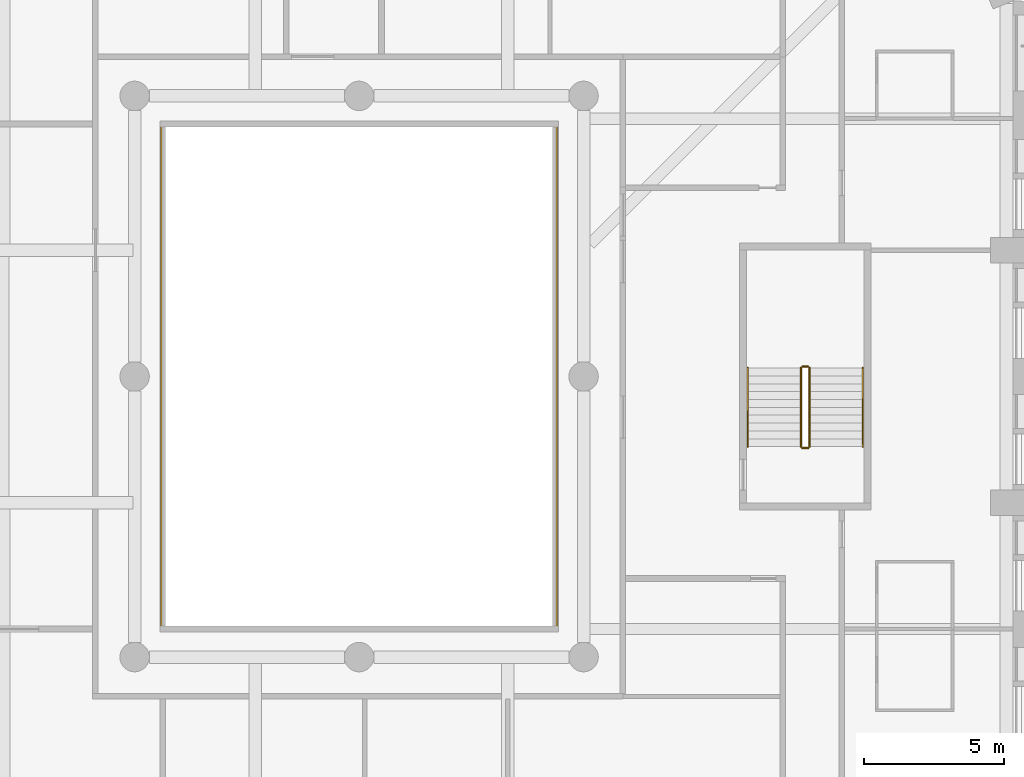
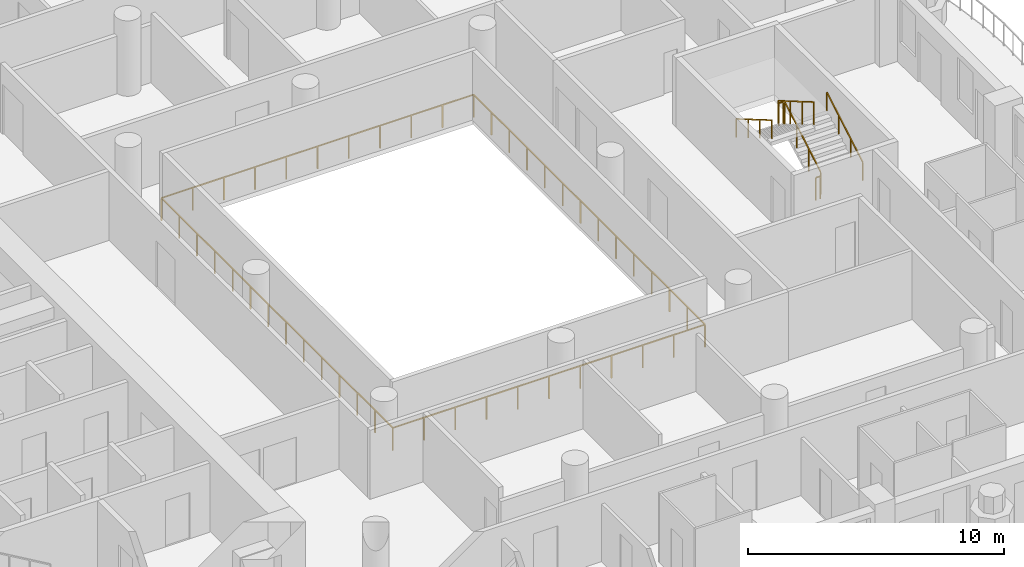
# One storey, part 14 of 19: 7 railings.
"""IFC4 building model written with IfcOpenShell, lengths in metres."""

import ifcopenshell
import ifcopenshell.guid

model = None  # the IFC model being written
_history = None  # IfcOwnerHistory: only IFC2X3 demands one
_inside = {}  # id of a spatial element -> (the spatial element, [elements in it])
_under = {}  # id of a project, library or spatial element -> (it, [spatial elements below it])
_declared = {}  # id of a project -> (the project, [libraries it declares])
_typed = {}  # id of a type object -> (the type object, [elements of that type])
_made_of = {}  # id of a material, layer set ... -> (it, [elements and type objects made of it])


def new_model(schema):
    """Start an empty IFC model of exactly this schema.

    Asked for "IFC4X3", IfcOpenShell would pick the latest addendum, in which some entities
    have other attributes; the version numbers below select the first issue.
    IFC2X3 requires an IfcOwnerHistory on every rooted entity: one is made here for all.
    """
    global model, _history
    if schema == "IFC4X3":
        model = ifcopenshell.file(schema_version=(4, 3, 0, 0))
    else:
        model = ifcopenshell.file(schema=schema)
    _inside.clear()
    _under.clear()
    _declared.clear()
    _typed.clear()
    _made_of.clear()
    _history = None
    if model.schema == "IFC2X3":
        org = make("IfcOrganization", Name="unknown")
        user = make(
            "IfcPersonAndOrganization",
            ThePerson=make("IfcPerson", FamilyName="unknown"),
            TheOrganization=org,
        )
        app = make(
            "IfcApplication",
            ApplicationDeveloper=org,
            Version="unknown",
            ApplicationFullName="unknown",
            ApplicationIdentifier="unknown",
        )
        _history = make(
            "IfcOwnerHistory",
            OwningUser=user,
            OwningApplication=app,
            ChangeAction="ADDED",
            CreationDate=0,
        )
    return model


def make(cls, **values):
    """One entity of the class cls with the attributes given. An attribute that is None is left unset."""
    return model.create_entity(
        cls, **{name: value for name, value in values.items() if value is not None}
    )


def rooted(cls, **values):
    """An entity with a GlobalId (a new one), such as an element, a storey or a relation."""
    return make(cls, GlobalId=ifcopenshell.guid.new(), OwnerHistory=_history, **values)


def si_unit(unit_type, name, prefix=None):
    """IfcSIUnit, for example si_unit("LENGTHUNIT", "METRE", prefix="MILLI")."""
    return make("IfcSIUnit", UnitType=unit_type, Prefix=prefix, Name=name)


def assignment(units):
    """IfcUnitAssignment: the units of a project."""
    return None if units is None else make("IfcUnitAssignment", Units=units)


def point(xyz):
    """IfcCartesianPoint."""
    return None if xyz is None else make("IfcCartesianPoint", Coordinates=xyz)


def direction(xyz):
    """IfcDirection."""
    return None if xyz is None else make("IfcDirection", DirectionRatios=xyz)


def frame(location, z_axis=None, x_axis=None):
    """IfcAxis2Placement3D, a coordinate frame: its origin and axes. An axis left out is left unset."""
    return make(
        "IfcAxis2Placement3D",
        Location=point(location),
        Axis=direction(z_axis),
        RefDirection=direction(x_axis),
    )


def frame_2d(location, x_axis=None):
    """IfcAxis2Placement2D, a coordinate frame in the plane: its origin and x axis."""
    return make(
        "IfcAxis2Placement2D", Location=point(location), RefDirection=direction(x_axis)
    )


def origin():
    """The frame at (0, 0, 0) with its axes left unset."""
    return frame((0.0, 0.0, 0.0))


def origin_2d():
    """The frame at (0, 0) in the plane with its x axis left unset."""
    return frame_2d((0.0, 0.0))


def place(relative_to, where):
    """IfcLocalPlacement: puts the frame where relative to a parent placement (None: the world)."""
    return make(
        "IfcLocalPlacement", PlacementRelTo=relative_to, RelativePlacement=where
    )


def context(
    kind, dimensions, precision=None, world=None, true_north=None, identifier=None
):
    """IfcGeometricRepresentationContext, for example the 3D "Model" context."""
    return make(
        "IfcGeometricRepresentationContext",
        ContextIdentifier=identifier,
        ContextType=kind,
        CoordinateSpaceDimension=dimensions,
        Precision=precision,
        WorldCoordinateSystem=world,
        TrueNorth=true_north,
    )


def subcontext(parent, identifier, kind, view, scale=None):
    """IfcGeometricRepresentationSubContext, for example "Body" below "Model"."""
    return make(
        "IfcGeometricRepresentationSubContext",
        ContextIdentifier=identifier,
        ContextType=kind,
        ParentContext=parent,
        TargetScale=scale,
        TargetView=view,
    )


def project(units=None, contexts=None):
    """IfcProject with its units and contexts."""
    return rooted(
        "IfcProject",
        Name="project",
        RepresentationContexts=contexts,
        UnitsInContext=assignment(units),
    )


def spatial(cls, under=None, at=None, **own):
    """A site, building, storey or space (cls), placed at a placement, below another one or the project."""
    s = rooted(cls, ObjectPlacement=at, **own)
    if under is not None:
        _under.setdefault(under.id(), (under, []))[1].append(s)
    return s


def profile(cls, at=None, kind="AREA", **sizes):
    """A parametric profile (cls). Its sizes go by their IFC names, for example OverallWidth=200.0."""
    return make(cls, ProfileType=kind, Position=at, **sizes)


def rectangle(**sizes):
    """IfcRectangleProfileDef."""
    return profile("IfcRectangleProfileDef", **sizes)


def extrude(swept, where, along, depth):
    """IfcExtrudedAreaSolid: the profile swept, set in the frame where, extruded along a direction by depth."""
    return make(
        "IfcExtrudedAreaSolid",
        SweptArea=swept,
        Position=where,
        ExtrudedDirection=direction(along),
        Depth=depth,
    )


def shape(context_of_items, identifier, shape_type, items):
    """IfcShapeRepresentation: the items that make up one representation, for example the "Body"."""
    return make(
        "IfcShapeRepresentation",
        ContextOfItems=context_of_items,
        RepresentationIdentifier=identifier,
        RepresentationType=shape_type,
        Items=items,
    )


def material(Name=None, Category=None):
    """IfcMaterial."""
    return make("IfcMaterial", Name=Name, Category=Category)


def made_of(thing, what):
    """Note that an element or type object is made of a material, layer set ...; save() writes the relation."""
    if what is not None:
        _made_of.setdefault(what.id(), (what, []))[1].append(thing)
    return thing


def type_object(cls, material=None, **own):
    """A type object (cls), such as IfcWallType, which elements share."""
    return made_of(rooted(cls, **own), material)


def element(
    cls,
    number,
    at=None,
    inside=None,
    cuts=None,
    type_object=None,
    material=None,
    context=None,
    identifier="Body",
    shape_type=None,
    held_by="IfcProductDefinitionShape",
    body=None,
    shapes=None,
    **own,
):
    """One element of the class cls, such as IfcWall. Its Tag is "e" and its number.

    at: its placement. inside: the storey or other place that contains it. cuts: it is an
    opening in that element (IfcRelVoidsElement). A single representation is given by context,
    identifier, shape_type and body (its items); several are given by shapes. held_by: the class
    of the entity that holds the representations. save() writes the other relations.
    """
    e = rooted(cls, Tag="e%d" % number, ObjectPlacement=at, **own)
    if body is not None:
        shapes = [shape(context, identifier, shape_type, body)]
    if shapes is not None:
        e.Representation = make(held_by, Representations=shapes)
    if inside is not None:
        _inside.setdefault(inside.id(), (inside, []))[1].append(e)
    if cuts is not None:
        rooted(
            "IfcRelVoidsElement", RelatingBuildingElement=cuts, RelatedOpeningElement=e
        )
    if type_object is not None:
        _typed.setdefault(type_object.id(), (type_object, []))[1].append(e)
    return made_of(e, material)


def aggregate(whole, parts):
    """IfcRelAggregates: a whole, such as a stair, and the parts it consists of."""
    return rooted("IfcRelAggregates", RelatingObject=whole, RelatedObjects=parts)


def save(model, path):
    """Write the relations noted so far, then the file.

    IfcRelAggregates (storeys below a building ...), IfcRelContainedInSpatialStructure (elements
    in a storey), IfcRelDefinesByType, IfcRelAssociatesMaterial and IfcRelDeclares: one each for
    every whole, place, type object, material and project.
    """
    for whole, parts in _under.values():
        aggregate(whole, parts)
    for where, things in _inside.values():
        rooted(
            "IfcRelContainedInSpatialStructure",
            RelatedElements=things,
            RelatingStructure=where,
        )
    for kind, things in _typed.values():
        rooted("IfcRelDefinesByType", RelatedObjects=things, RelatingType=kind)
    for what, things in _made_of.values():
        rooted("IfcRelAssociatesMaterial", RelatedObjects=things, RelatingMaterial=what)
    for by, libraries in _declared.values():
        rooted("IfcRelDeclares", RelatingContext=by, RelatedDefinitions=libraries)
    model.write(path)


model = new_model("IFC4")

# Units and contexts
model_context = context("Model", 3, precision=1e-05, world=origin(), true_north=direction((0.0, 1.0)))
body_context = subcontext(model_context, "Body", "Model", "MODEL_VIEW")
ifc_project = project(units=[si_unit("LENGTHUNIT", "METRE"), si_unit("AREAUNIT", "SQUARE_METRE"), si_unit("VOLUMEUNIT", "CUBIC_METRE"), si_unit("PLANEANGLEUNIT", "RADIAN"), si_unit("MASSUNIT", "GRAM", prefix="KILO")], contexts=[model_context])

# Site, building, storey
site_placement = place(None, origin())
site = spatial("IfcSite", under=ifc_project, at=site_placement, CompositionType="ELEMENT")
building_placement = place(site_placement, origin())
building = spatial("IfcBuilding", under=site, at=building_placement, Name="Cypress Arch Tower", CompositionType="ELEMENT")
storey_placement = place(building_placement, frame((0.0, 0.0, 138.300048828125)))
storey = spatial("IfcBuildingStorey", under=building, at=storey_placement, Name="L30", CompositionType="ELEMENT", Elevation=138.300048828125)

# Railings
ifc_material_1 = material(Name="Stainless steel posts and handrail, laminated glass infill", Category="steel")
railing_type_1 = type_object("IfcRailingType", Name="Atrium guard GR1100A", PredefinedType="GUARDRAIL", material=ifc_material_1)
railing_1_placement = place(storey_placement, frame((8.050048828125, -9.050048828125, 0.0)))
element("IfcRailing", 1, at=railing_1_placement, inside=storey, type_object=railing_type_1, Name="Atrium guard L30", PredefinedType="GUARDRAIL", context=body_context, shape_type="SweptSolid", body=[
    extrude(rectangle(XDim=0.050048828125, YDim=0.050048828125, at=origin_2d()), frame((0.0, 0.0, 1.0751953125), z_axis=(-1.0, 0.0, 0.0), x_axis=(0.0, -1.0, 0.0)), (0.0, 0.0, 1.0), 14.10009765625),
    extrude(rectangle(XDim=0.050048828125, YDim=0.050048828125, at=origin_2d()), frame((-14.10009765625, 0.0, 1.0751953125), z_axis=(0.0, 1.0, 0.0), x_axis=(-1.0, 0.0, 0.0)), (0.0, 0.0, 1.0), 18.10009765625),
    extrude(rectangle(XDim=0.050048828125, YDim=0.050048828125, at=origin_2d()), frame((-14.10009765625, 18.10009765625, 1.0751953125), z_axis=(1.0, 0.0, 0.0), x_axis=(0.0, 1.0, 0.0)), (0.0, 0.0, 1.0), 14.10009765625),
    extrude(rectangle(XDim=0.050048828125, YDim=0.050048828125, at=origin_2d()), frame((0.0, 18.10009765625, 1.0751953125), z_axis=(0.0, -1.0, 0.0), x_axis=(1.0, 0.0, 0.0)), (0.0, 0.0, 1.0), 18.10009765625),
    extrude(rectangle(XDim=0.050048828125, YDim=0.050048828125, at=origin_2d()), origin(), (0.0, 0.0, 1.0), 1.050048828125),
    extrude(rectangle(XDim=0.050048828125, YDim=0.050048828125, at=origin_2d()), frame((-1.409912109375, 0.0, 0.0)), (0.0, 0.0, 1.0), 1.050048828125),
    extrude(rectangle(XDim=0.050048828125, YDim=0.050048828125, at=origin_2d()), frame((-2.820068359375, 0.0, 0.0)), (0.0, 0.0, 1.0), 1.050048828125),
    extrude(rectangle(XDim=0.050048828125, YDim=0.050048828125, at=origin_2d()), frame((-4.22998046875, 0.0, 0.0)), (0.0, 0.0, 1.0), 1.050048828125),
    extrude(rectangle(XDim=0.050048828125, YDim=0.050048828125, at=origin_2d()), frame((-5.64013671875, 0.0, 0.0)), (0.0, 0.0, 1.0), 1.050048828125),
    extrude(rectangle(XDim=0.050048828125, YDim=0.050048828125, at=origin_2d()), frame((-7.050048828125, 0.0, 0.0)), (0.0, 0.0, 1.0), 1.050048828125),
    extrude(rectangle(XDim=0.050048828125, YDim=0.050048828125, at=origin_2d()), frame((-8.4599609375, 0.0, 0.0)), (0.0, 0.0, 1.0), 1.050048828125),
    extrude(rectangle(XDim=0.050048828125, YDim=0.050048828125, at=origin_2d()), frame((-9.8701171875, 0.0, 0.0)), (0.0, 0.0, 1.0), 1.050048828125),
    extrude(rectangle(XDim=0.050048828125, YDim=0.050048828125, at=origin_2d()), frame((-11.280029296875, 0.0, 0.0)), (0.0, 0.0, 1.0), 1.050048828125),
    extrude(rectangle(XDim=0.050048828125, YDim=0.050048828125, at=origin_2d()), frame((-12.690185546875, 0.0, 0.0)), (0.0, 0.0, 1.0), 1.050048828125),
    extrude(rectangle(XDim=0.050048828125, YDim=0.050048828125, at=origin_2d()), frame((-14.10009765625, 0.0, 0.0)), (0.0, 0.0, 1.0), 1.050048828125),
    extrude(rectangle(XDim=0.050048828125, YDim=0.050048828125, at=origin_2d()), frame((-14.10009765625, 1.392333984375, 0.0)), (0.0, 0.0, 1.0), 1.050048828125),
    extrude(rectangle(XDim=0.050048828125, YDim=0.050048828125, at=origin_2d()), frame((-14.10009765625, 2.78466796875, 0.0)), (0.0, 0.0, 1.0), 1.050048828125),
    extrude(rectangle(XDim=0.050048828125, YDim=0.050048828125, at=origin_2d()), frame((-14.10009765625, 4.177001953125, 0.0)), (0.0, 0.0, 1.0), 1.050048828125),
    extrude(rectangle(XDim=0.050048828125, YDim=0.050048828125, at=origin_2d()), frame((-14.10009765625, 5.5693359375, 0.0)), (0.0, 0.0, 1.0), 1.050048828125),
    extrude(rectangle(XDim=0.050048828125, YDim=0.050048828125, at=origin_2d()), frame((-14.10009765625, 6.961669921875, 0.0)), (0.0, 0.0, 1.0), 1.050048828125),
    extrude(rectangle(XDim=0.050048828125, YDim=0.050048828125, at=origin_2d()), frame((-14.10009765625, 8.35400390625, 0.0)), (0.0, 0.0, 1.0), 1.050048828125),
    extrude(rectangle(XDim=0.050048828125, YDim=0.050048828125, at=origin_2d()), frame((-14.10009765625, 9.74609375, 0.0)), (0.0, 0.0, 1.0), 1.050048828125),
    extrude(rectangle(XDim=0.050048828125, YDim=0.050048828125, at=origin_2d()), frame((-14.10009765625, 11.138427734375, 0.0)), (0.0, 0.0, 1.0), 1.050048828125),
    extrude(rectangle(XDim=0.050048828125, YDim=0.050048828125, at=origin_2d()), frame((-14.10009765625, 12.53076171875, 0.0)), (0.0, 0.0, 1.0), 1.050048828125),
    extrude(rectangle(XDim=0.050048828125, YDim=0.050048828125, at=origin_2d()), frame((-14.10009765625, 13.923095703125, 0.0)), (0.0, 0.0, 1.0), 1.050048828125),
    extrude(rectangle(XDim=0.050048828125, YDim=0.050048828125, at=origin_2d()), frame((-14.10009765625, 15.3154296875, 0.0)), (0.0, 0.0, 1.0), 1.050048828125),
    extrude(rectangle(XDim=0.050048828125, YDim=0.050048828125, at=origin_2d()), frame((-14.10009765625, 16.707763671875, 0.0)), (0.0, 0.0, 1.0), 1.050048828125),
    extrude(rectangle(XDim=0.050048828125, YDim=0.050048828125, at=origin_2d()), frame((-14.10009765625, 18.10009765625, 0.0)), (0.0, 0.0, 1.0), 1.050048828125),
    extrude(rectangle(XDim=0.050048828125, YDim=0.050048828125, at=origin_2d()), frame((-12.690185546875, 18.10009765625, 0.0)), (0.0, 0.0, 1.0), 1.050048828125),
    extrude(rectangle(XDim=0.050048828125, YDim=0.050048828125, at=origin_2d()), frame((-11.280029296875, 18.10009765625, 0.0)), (0.0, 0.0, 1.0), 1.050048828125),
    extrude(rectangle(XDim=0.050048828125, YDim=0.050048828125, at=origin_2d()), frame((-9.8701171875, 18.10009765625, 0.0)), (0.0, 0.0, 1.0), 1.050048828125),
    extrude(rectangle(XDim=0.050048828125, YDim=0.050048828125, at=origin_2d()), frame((-8.4599609375, 18.10009765625, 0.0)), (0.0, 0.0, 1.0), 1.050048828125),
    extrude(rectangle(XDim=0.050048828125, YDim=0.050048828125, at=origin_2d()), frame((-7.050048828125, 18.10009765625, 0.0)), (0.0, 0.0, 1.0), 1.050048828125),
    extrude(rectangle(XDim=0.050048828125, YDim=0.050048828125, at=origin_2d()), frame((-5.64013671875, 18.10009765625, 0.0)), (0.0, 0.0, 1.0), 1.050048828125),
    extrude(rectangle(XDim=0.050048828125, YDim=0.050048828125, at=origin_2d()), frame((-4.22998046875, 18.10009765625, 0.0)), (0.0, 0.0, 1.0), 1.050048828125),
    extrude(rectangle(XDim=0.050048828125, YDim=0.050048828125, at=origin_2d()), frame((-2.820068359375, 18.10009765625, 0.0)), (0.0, 0.0, 1.0), 1.050048828125),
    extrude(rectangle(XDim=0.050048828125, YDim=0.050048828125, at=origin_2d()), frame((-1.409912109375, 18.10009765625, 0.0)), (0.0, 0.0, 1.0), 1.050048828125),
    extrude(rectangle(XDim=0.050048828125, YDim=0.050048828125, at=origin_2d()), frame((0.0, 18.10009765625, 0.0)), (0.0, 0.0, 1.0), 1.050048828125),
    extrude(rectangle(XDim=0.050048828125, YDim=0.050048828125, at=origin_2d()), frame((0.0, 16.707763671875, 0.0)), (0.0, 0.0, 1.0), 1.050048828125),
    extrude(rectangle(XDim=0.050048828125, YDim=0.050048828125, at=origin_2d()), frame((0.0, 15.3154296875, 0.0)), (0.0, 0.0, 1.0), 1.050048828125),
    extrude(rectangle(XDim=0.050048828125, YDim=0.050048828125, at=origin_2d()), frame((0.0, 13.923095703125, 0.0)), (0.0, 0.0, 1.0), 1.050048828125),
    extrude(rectangle(XDim=0.050048828125, YDim=0.050048828125, at=origin_2d()), frame((0.0, 12.53076171875, 0.0)), (0.0, 0.0, 1.0), 1.050048828125),
    extrude(rectangle(XDim=0.050048828125, YDim=0.050048828125, at=origin_2d()), frame((0.0, 11.138427734375, 0.0)), (0.0, 0.0, 1.0), 1.050048828125),
    extrude(rectangle(XDim=0.050048828125, YDim=0.050048828125, at=origin_2d()), frame((0.0, 9.74609375, 0.0)), (0.0, 0.0, 1.0), 1.050048828125),
    extrude(rectangle(XDim=0.050048828125, YDim=0.050048828125, at=origin_2d()), frame((0.0, 8.35400390625, 0.0)), (0.0, 0.0, 1.0), 1.050048828125),
    extrude(rectangle(XDim=0.050048828125, YDim=0.050048828125, at=origin_2d()), frame((0.0, 6.961669921875, 0.0)), (0.0, 0.0, 1.0), 1.050048828125),
    extrude(rectangle(XDim=0.050048828125, YDim=0.050048828125, at=origin_2d()), frame((0.0, 5.5693359375, 0.0)), (0.0, 0.0, 1.0), 1.050048828125),
    extrude(rectangle(XDim=0.050048828125, YDim=0.050048828125, at=origin_2d()), frame((0.0, 4.177001953125, 0.0)), (0.0, 0.0, 1.0), 1.050048828125),
    extrude(rectangle(XDim=0.050048828125, YDim=0.050048828125, at=origin_2d()), frame((0.0, 2.78466796875, 0.0)), (0.0, 0.0, 1.0), 1.050048828125),
    extrude(rectangle(XDim=0.050048828125, YDim=0.050048828125, at=origin_2d()), frame((0.0, 1.392333984375, 0.0)), (0.0, 0.0, 1.0), 1.050048828125),
])
ifc_material_2 = material(Name="Black powder-coated steel square bar 48 mm", Category="steel")
railing_type_2 = type_object("IfcRailingType", Name="Stair handrail HR1", PredefinedType="HANDRAIL", material=ifc_material_2)
railing_2_placement = place(storey_placement, frame((18.949951171875, -2.5, 0.16357421875)))
element("IfcRailing", 2, at=railing_2_placement, inside=storey, type_object=railing_type_2, Name="L30 C stair handrail 1", PredefinedType="HANDRAIL", context=body_context, shape_type="SweptSolid", body=[
    extrude(rectangle(XDim=0.048095703125, YDim=0.048095703125, at=origin_2d()), frame((0.0, 0.0, 0.8759765625), z_axis=(0.0, 0.863360870873, 0.504586966384), x_axis=(-1.0, 0.0, 0.0)), (0.0, 0.0, 1.0), 3.2431640625),
    extrude(rectangle(XDim=0.0419921875, YDim=0.0419921875, at=origin_2d()), origin(), (0.0, 0.0, 1.0), 0.851806640625),
    extrude(rectangle(XDim=0.0419921875, YDim=0.0419921875, at=origin_2d()), frame((0.0, 0.933349609375, 0.54541015625)), (0.0, 0.0, 1.0), 0.851806640625),
    extrude(rectangle(XDim=0.0419921875, YDim=0.0419921875, at=origin_2d()), frame((0.0, 1.86669921875, 1.091064453125)), (0.0, 0.0, 1.0), 0.851806640625),
    extrude(rectangle(XDim=0.0419921875, YDim=0.0419921875, at=origin_2d()), frame((0.0, 2.800048828125, 1.636474609375)), (0.0, 0.0, 1.0), 0.851806640625),
])
railing_3_placement = place(storey_placement, frame((14.85009765625, 0.300048828125, 1.963623046875)))
element("IfcRailing", 3, at=railing_3_placement, inside=storey, type_object=railing_type_2, Name="L30 C stair handrail 2", PredefinedType="HANDRAIL", context=body_context, shape_type="SweptSolid", body=[
    extrude(rectangle(XDim=0.048095703125, YDim=0.048095703125, at=origin_2d()), frame((0.0, 0.0, 0.8759765625), z_axis=(0.0, -0.863393664356, 0.504530851732), x_axis=(1.0, 0.0, 0.0)), (0.0, 0.0, 1.0), 3.2431640625),
    extrude(rectangle(XDim=0.0419921875, YDim=0.0419921875, at=origin_2d()), origin(), (0.0, 0.0, 1.0), 0.851806640625),
    extrude(rectangle(XDim=0.0419921875, YDim=0.0419921875, at=origin_2d()), frame((0.0, -0.933349609375, 0.54541015625)), (0.0, 0.0, 1.0), 0.851806640625),
    extrude(rectangle(XDim=0.0419921875, YDim=0.0419921875, at=origin_2d()), frame((0.0, -1.86669921875, 1.0908203125)), (0.0, 0.0, 1.0), 0.851806640625),
    extrude(rectangle(XDim=0.0419921875, YDim=0.0419921875, at=origin_2d()), frame((0.0, -2.800048828125, 1.63623046875)), (0.0, 0.0, 1.0), 0.851806640625),
])
ifc_material_3 = material(Name="Black powder-coated steel balusters", Category="steel")
railing_type_3 = type_object("IfcRailingType", Name="Stair well guard G1", PredefinedType="GUARDRAIL", material=ifc_material_3)
railing_4_placement = place(storey_placement, frame((17.050048828125, -2.5, 0.16357421875)))
element("IfcRailing", 4, at=railing_4_placement, inside=storey, type_object=railing_type_3, Name="L30 C stair guard 1", PredefinedType="GUARDRAIL", context=body_context, shape_type="SweptSolid", body=[
    extrude(rectangle(XDim=0.048095703125, YDim=0.048095703125, at=origin_2d()), frame((0.0, 0.0, 1.076171875), z_axis=(0.0, 0.863360870873, 0.504586966384), x_axis=(-1.0, 0.0, 0.0)), (0.0, 0.0, 1.0), 3.2431640625),
    extrude(rectangle(XDim=0.0419921875, YDim=0.0419921875, at=origin_2d()), origin(), (0.0, 0.0, 1.0), 1.052001953125),
    extrude(rectangle(XDim=0.0419921875, YDim=0.0419921875, at=origin_2d()), frame((0.0, 0.933349609375, 0.54541015625)), (0.0, 0.0, 1.0), 1.052001953125),
    extrude(rectangle(XDim=0.0419921875, YDim=0.0419921875, at=origin_2d()), frame((0.0, 1.86669921875, 1.091064453125)), (0.0, 0.0, 1.0), 1.052001953125),
    extrude(rectangle(XDim=0.0419921875, YDim=0.0419921875, at=origin_2d()), frame((0.0, 2.800048828125, 1.636474609375)), (0.0, 0.0, 1.0), 1.052001953125),
])
railing_5_placement = place(storey_placement, frame((17.0, 0.35009765625, 1.800048828125)))
element("IfcRailing", 5, at=railing_5_placement, inside=storey, type_object=railing_type_3, Name="L30 C stair guard 2", PredefinedType="GUARDRAIL", context=body_context, shape_type="SweptSolid", body=[
    extrude(rectangle(XDim=0.048095703125, YDim=0.048095703125, at=origin_2d()), frame((0.0, 0.0, 1.076171875), z_axis=(-1.0, 0.0, 0.0), x_axis=(0.0, -1.0, 0.0)), (0.0, 0.0, 1.0), 0.199951171875),
    extrude(rectangle(XDim=0.0419921875, YDim=0.0419921875, at=origin_2d()), origin(), (0.0, 0.0, 1.0), 1.052001953125),
    extrude(rectangle(XDim=0.0419921875, YDim=0.0419921875, at=origin_2d()), frame((-0.199951171875, 0.0, 0.0)), (0.0, 0.0, 1.0), 1.052001953125),
])
railing_6_placement = place(storey_placement, frame((16.75, 0.300048828125, 1.963623046875)))
element("IfcRailing", 6, at=railing_6_placement, inside=storey, type_object=railing_type_3, Name="L30 C stair guard 3", PredefinedType="GUARDRAIL", context=body_context, shape_type="SweptSolid", body=[
    extrude(rectangle(XDim=0.048095703125, YDim=0.048095703125, at=origin_2d()), frame((0.0, 0.0, 1.076171875), z_axis=(0.0, -0.863393664356, 0.504530851732), x_axis=(1.0, 0.0, 0.0)), (0.0, 0.0, 1.0), 3.2431640625),
    extrude(rectangle(XDim=0.0419921875, YDim=0.0419921875, at=origin_2d()), origin(), (0.0, 0.0, 1.0), 1.052001953125),
    extrude(rectangle(XDim=0.0419921875, YDim=0.0419921875, at=origin_2d()), frame((0.0, -0.933349609375, 0.54541015625)), (0.0, 0.0, 1.0), 1.052001953125),
    extrude(rectangle(XDim=0.0419921875, YDim=0.0419921875, at=origin_2d()), frame((0.0, -1.86669921875, 1.0908203125)), (0.0, 0.0, 1.0), 1.052001953125),
    extrude(rectangle(XDim=0.0419921875, YDim=0.0419921875, at=origin_2d()), frame((0.0, -2.800048828125, 1.63623046875)), (0.0, 0.0, 1.0), 1.052001953125),
])
railing_7_placement = place(storey_placement, frame((17.0, -2.550048828125, 0.0)))
element("IfcRailing", 7, at=railing_7_placement, inside=storey, type_object=railing_type_3, Name="L30 C stair guard 4", PredefinedType="GUARDRAIL", context=body_context, shape_type="SweptSolid", body=[
    extrude(rectangle(XDim=0.048095703125, YDim=0.048095703125, at=origin_2d()), frame((0.0, 0.0, 1.076171875), z_axis=(-1.0, 0.0, 0.0), x_axis=(0.0, -1.0, 0.0)), (0.0, 0.0, 1.0), 0.199951171875),
    extrude(rectangle(XDim=0.0419921875, YDim=0.0419921875, at=origin_2d()), origin(), (0.0, 0.0, 1.0), 1.052001953125),
    extrude(rectangle(XDim=0.0419921875, YDim=0.0419921875, at=origin_2d()), frame((-0.199951171875, 0.0, 0.0)), (0.0, 0.0, 1.0), 1.052001953125),
])

save(model, "model.ifc")
